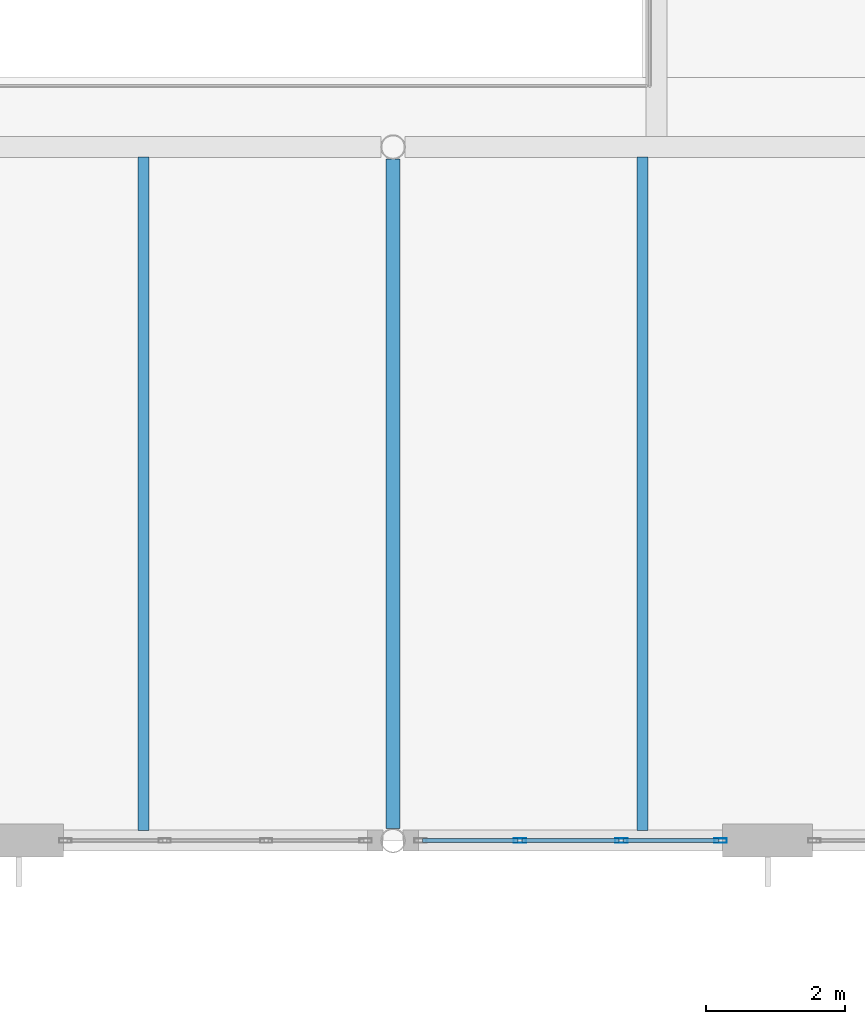
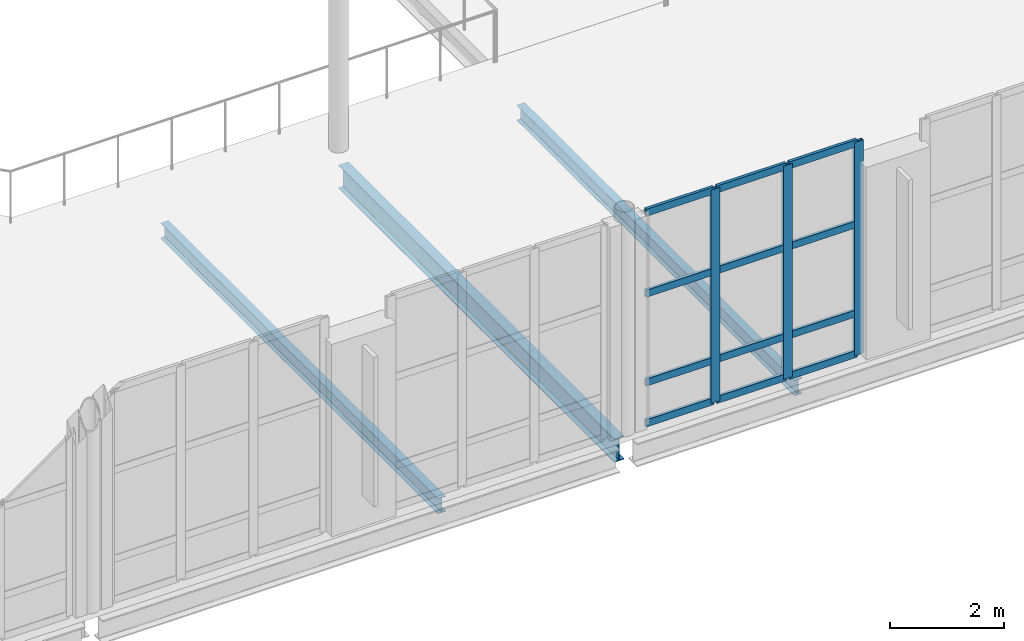
# One storey, part 29 of 100: 15 members, 3 beams, 1 element without a shape of its own.
"""IFC4 building model written with IfcOpenShell, lengths in metres."""

from ifc_helpers import new_model, si_unit, direction, frame, origin, origin_2d, place, context, subcontext, project, spatial, hollow_rectangle, i_section, extrude, material, layer, layer_set, material_profile, profile_set, type_object, element, aggregate, save


model = new_model("IFC4")

# Units and contexts
model_context = context("Model", 3, precision=1e-05, world=origin(), true_north=direction((0.0, 1.0)))
body_context = subcontext(model_context, "Body", "Model", "MODEL_VIEW")
ifc_project = project(units=[si_unit("LENGTHUNIT", "METRE"), si_unit("AREAUNIT", "SQUARE_METRE"), si_unit("VOLUMEUNIT", "CUBIC_METRE"), si_unit("PLANEANGLEUNIT", "RADIAN"), si_unit("MASSUNIT", "GRAM", prefix="KILO")], contexts=[model_context])

# Site, building, storey
site_placement = place(None, origin())
site = spatial("IfcSite", under=ifc_project, at=site_placement, CompositionType="ELEMENT")
building_placement = place(site_placement, origin())
building = spatial("IfcBuilding", under=site, at=building_placement, Name="Tasgan Crest Museum", CompositionType="ELEMENT")
storey_placement = place(building_placement, frame((0.0, 0.0, 9.60009765625)))
storey = spatial("IfcBuildingStorey", under=building, at=storey_placement, Name="L02", CompositionType="ELEMENT", Elevation=9.60009765625)

# Beams
ifc_material_1 = material(Name="Steel S355J2", Category="steel")
ifc_material_profile_1 = material_profile(ifc_material_1, i_section(OverallWidth=0.199951171875, OverallDepth=0.5, WebThickness=0.01025390625, FlangeThickness=0.01611328125, FilletRadius=0.02099609375, at=origin_2d()), Name="IPE 500")
ifc_profile_set_1 = profile_set([ifc_material_profile_1], Name="Steel S355J2")
beam_type_1 = type_object("IfcBeamType", Name="BM-G-IPE500", PredefinedType="BEAM", material=ifc_profile_set_1)
beam_placement = place(storey_placement, frame((75.60009765625, 40.1728515625, -0.489990234375), z_axis=(0.0, 1.0, 0.0), x_axis=(-1.0, 0.0, 0.0)))
element("IfcBeam", 1, at=beam_placement, inside=storey, type_object=beam_type_1, Name="Beam L02 8 40.0-50.0", PredefinedType="BEAM", context=body_context, shape_type="SweptSolid", body=[
    extrude(i_section(OverallWidth=0.199951171875, OverallDepth=0.5, WebThickness=0.01025390625, FlangeThickness=0.01611328125, FilletRadius=0.02099609375, at=origin_2d()), origin(), (0.0, 0.0, 1.0), 9.654296875),
])
ifc_material_2 = material(Name="Steel S355J2", Category="steel")
ifc_material_profile_2 = material_profile(ifc_material_2, i_section(OverallWidth=0.159912109375, OverallDepth=0.330078125, WebThickness=0.007568359375, FlangeThickness=0.011474609375, FilletRadius=0.01806640625, at=origin_2d()), Name="IPE 330")
ifc_profile_set_2 = profile_set([ifc_material_profile_2], Name="Steel S355J2")
beam_type_2 = type_object("IfcBeamType", Name="BM-J-IPE330", PredefinedType="JOIST", material=ifc_profile_set_2)
for number, where, z_axis, x_axis, name in (
    (2, (72.0, 40.14501953125, -0.405029296875), (0.0, 1.0, 0.0), (-1.0, 0.0, 0.0), "Secondary joist L02 X=72.0 Y=40.0-50.0"),
    (3, (79.199951171875, 40.14501953125, -0.405029296875), (0.0, 1.0, 0.0), (-1.0, 0.0, 0.0), "Secondary joist L02 X=79.2 Y=40.0-50.0"),
):
    element("IfcBeam", number, at=place(storey_placement, frame(where, z_axis=z_axis, x_axis=x_axis)), inside=storey, type_object=beam_type_2, Name=name, PredefinedType="JOIST", context=body_context, shape_type="SweptSolid", body=[
        extrude(i_section(OverallWidth=0.159912109375, OverallDepth=0.330078125, WebThickness=0.007568359375, FlangeThickness=0.011474609375, FilletRadius=0.01806640625, at=origin_2d()), origin(), (0.0, 0.0, 1.0), 9.7099609375),
    ])

# Curtain wall, members
ifc_material_3 = material(Name="Triple-Glazed Aluminium Curtain Wall", Category="aluminium")
ifc_layer = layer(ifc_material_3, 0.179931640625, Name="CW-DRUM-X-48")
ifc_layer_set = layer_set([ifc_layer], Name="Triple-Glazed Aluminium Curtain Wall")
curtain_wall_type = type_object("IfcCurtainWallType", Name="CW-DRUM-X-48", PredefinedType="NOTDEFINED", material=ifc_layer_set)
curtain_wall_placement = place(storey_placement, origin())
curtain_wall = element("IfcCurtainWall", 4, at=curtain_wall_placement, inside=storey, type_object=curtain_wall_type, Name="Curtain wall L02 105", PredefinedType="NOTDEFINED")
ifc_material_4 = material(Name="Anodised Aluminium", Category="aluminium")
ifc_material_profile_3 = material_profile(ifc_material_4, hollow_rectangle(XDim=0.06494140625, YDim=0.179931640625, WallThickness=0.0048828125, at=origin_2d()), Name="ALU MULLION 180x65x5")
ifc_profile_set_3 = profile_set([ifc_material_profile_3], Name="Anodised Aluminium")
member_type_1 = type_object("IfcMemberType", Name="CW-MULLION-180", PredefinedType="MULLION", material=ifc_profile_set_3)
member_1_placement = place(storey_placement, frame((77.42822265625, 40.0, 0.0), z_axis=(0.0, 0.0, 1.0), x_axis=(0.0, 1.0, 0.0)))
member_1 = element("IfcMember", 5, at=member_1_placement, type_object=member_type_1, Name="CW03 mullion 2", PredefinedType="MULLION", context=body_context, shape_type="SweptSolid", body=[
    extrude(hollow_rectangle(XDim=0.06494140625, YDim=0.179931640625, WallThickness=0.0048828125, at=origin_2d()), origin(), (0.0, 0.0, 1.0), 4.559814453125),
])
member_2_placement = place(storey_placement, frame((78.8916015625, 40.0, 0.0), z_axis=(0.0, 0.0, 1.0), x_axis=(0.0, 1.0, 0.0)))
member_2 = element("IfcMember", 6, at=member_2_placement, type_object=member_type_1, Name="CW03 mullion 3", PredefinedType="MULLION", context=body_context, shape_type="SweptSolid", body=[
    extrude(hollow_rectangle(XDim=0.06494140625, YDim=0.179931640625, WallThickness=0.0048828125, at=origin_2d()), origin(), (0.0, 0.0, 1.0), 4.559814453125),
])
member_3_placement = place(storey_placement, frame((80.324951171875, 40.0, 0.0), z_axis=(0.0, 0.0, 1.0), x_axis=(0.0, 1.0, 0.0)))
member_3 = element("IfcMember", 7, at=member_3_placement, type_object=member_type_1, Name="CW03 mullion 4", PredefinedType="MULLION", context=body_context, shape_type="SweptSolid", body=[
    extrude(hollow_rectangle(XDim=0.06494140625, YDim=0.179931640625, WallThickness=0.0048828125, at=origin_2d()), origin(), (0.0, 0.0, 1.0), 4.559814453125),
])
ifc_material_5 = material(Name="Anodised Aluminium", Category="aluminium")
ifc_material_profile_4 = material_profile(ifc_material_5, hollow_rectangle(XDim=0.06005859375, YDim=0.14990234375, WallThickness=0.0048828125, at=origin_2d()), Name="ALU TRANSOM 150x60x5")
ifc_profile_set_4 = profile_set([ifc_material_profile_4], Name="Anodised Aluminium")
member_type_2 = type_object("IfcMemberType", Name="CW-TRANSOM-150", PredefinedType="USERDEFINED", material=ifc_profile_set_4)
member_4_placement = place(storey_placement, frame((76.02490234375, 40.0, 0.02978515625), z_axis=(1.0, 0.0, 0.0), x_axis=(0.0, 1.0, 0.0)))
member_4 = element("IfcMember", 8, at=member_4_placement, type_object=member_type_2, Name="CW03 transom 1.1", ObjectType="TRANSOM", PredefinedType="USERDEFINED", context=body_context, shape_type="SweptSolid", body=[
    extrude(hollow_rectangle(XDim=0.06005859375, YDim=0.14990234375, WallThickness=0.0048828125, at=origin_2d()), origin(), (0.0, 0.0, 1.0), 1.37353515625),
])
member_5_placement = place(storey_placement, frame((76.02490234375, 40.0, 0.89990234375), z_axis=(1.0, 0.0, 0.0), x_axis=(0.0, 1.0, 0.0)))
member_5 = element("IfcMember", 9, at=member_5_placement, type_object=member_type_2, Name="CW03 transom 1.2", ObjectType="TRANSOM", PredefinedType="USERDEFINED", context=body_context, shape_type="SweptSolid", body=[
    extrude(hollow_rectangle(XDim=0.06005859375, YDim=0.14990234375, WallThickness=0.0048828125, at=origin_2d()), origin(), (0.0, 0.0, 1.0), 1.37353515625),
])
member_6_placement = place(storey_placement, frame((76.02490234375, 40.0, 2.7998046875), z_axis=(1.0, 0.0, 0.0), x_axis=(0.0, 1.0, 0.0)))
member_6 = element("IfcMember", 10, at=member_6_placement, type_object=member_type_2, Name="CW03 transom 1.3", ObjectType="TRANSOM", PredefinedType="USERDEFINED", context=body_context, shape_type="SweptSolid", body=[
    extrude(hollow_rectangle(XDim=0.06005859375, YDim=0.14990234375, WallThickness=0.0048828125, at=origin_2d()), origin(), (0.0, 0.0, 1.0), 1.37353515625),
])
member_7_placement = place(storey_placement, frame((76.02490234375, 40.0, 4.52978515625), z_axis=(1.0, 0.0, 0.0), x_axis=(0.0, 1.0, 0.0)))
member_7 = element("IfcMember", 11, at=member_7_placement, type_object=member_type_2, Name="CW03 transom 1.4", ObjectType="TRANSOM", PredefinedType="USERDEFINED", context=body_context, shape_type="SweptSolid", body=[
    extrude(hollow_rectangle(XDim=0.06005859375, YDim=0.14990234375, WallThickness=0.0048828125, at=origin_2d()), origin(), (0.0, 0.0, 1.0), 1.37353515625),
])
member_8_placement = place(storey_placement, frame((77.458251953125, 40.0, 0.02978515625), z_axis=(1.0, 0.0, 0.0), x_axis=(0.0, 1.0, 0.0)))
member_8 = element("IfcMember", 12, at=member_8_placement, type_object=member_type_2, Name="CW03 transom 2.1", ObjectType="TRANSOM", PredefinedType="USERDEFINED", context=body_context, shape_type="SweptSolid", body=[
    extrude(hollow_rectangle(XDim=0.06005859375, YDim=0.14990234375, WallThickness=0.0048828125, at=origin_2d()), origin(), (0.0, 0.0, 1.0), 1.4033203125),
])
member_9_placement = place(storey_placement, frame((77.458251953125, 40.0, 0.89990234375), z_axis=(1.0, 0.0, 0.0), x_axis=(0.0, 1.0, 0.0)))
member_9 = element("IfcMember", 13, at=member_9_placement, type_object=member_type_2, Name="CW03 transom 2.2", ObjectType="TRANSOM", PredefinedType="USERDEFINED", context=body_context, shape_type="SweptSolid", body=[
    extrude(hollow_rectangle(XDim=0.06005859375, YDim=0.14990234375, WallThickness=0.0048828125, at=origin_2d()), origin(), (0.0, 0.0, 1.0), 1.4033203125),
])
member_10_placement = place(storey_placement, frame((77.458251953125, 40.0, 2.7998046875), z_axis=(1.0, 0.0, 0.0), x_axis=(0.0, 1.0, 0.0)))
member_10 = element("IfcMember", 14, at=member_10_placement, type_object=member_type_2, Name="CW03 transom 2.3", ObjectType="TRANSOM", PredefinedType="USERDEFINED", context=body_context, shape_type="SweptSolid", body=[
    extrude(hollow_rectangle(XDim=0.06005859375, YDim=0.14990234375, WallThickness=0.0048828125, at=origin_2d()), origin(), (0.0, 0.0, 1.0), 1.4033203125),
])
member_11_placement = place(storey_placement, frame((77.458251953125, 40.0, 4.52978515625), z_axis=(1.0, 0.0, 0.0), x_axis=(0.0, 1.0, 0.0)))
member_11 = element("IfcMember", 15, at=member_11_placement, type_object=member_type_2, Name="CW03 transom 2.4", ObjectType="TRANSOM", PredefinedType="USERDEFINED", context=body_context, shape_type="SweptSolid", body=[
    extrude(hollow_rectangle(XDim=0.06005859375, YDim=0.14990234375, WallThickness=0.0048828125, at=origin_2d()), origin(), (0.0, 0.0, 1.0), 1.4033203125),
])
member_12_placement = place(storey_placement, frame((78.921630859375, 40.0, 0.02978515625), z_axis=(1.0, 0.0, 0.0), x_axis=(0.0, 1.0, 0.0)))
member_12 = element("IfcMember", 16, at=member_12_placement, type_object=member_type_2, Name="CW03 transom 3.1", ObjectType="TRANSOM", PredefinedType="USERDEFINED", context=body_context, shape_type="SweptSolid", body=[
    extrude(hollow_rectangle(XDim=0.06005859375, YDim=0.14990234375, WallThickness=0.0048828125, at=origin_2d()), origin(), (0.0, 0.0, 1.0), 1.373291015625),
])
member_13_placement = place(storey_placement, frame((78.921630859375, 40.0, 0.89990234375), z_axis=(1.0, 0.0, 0.0), x_axis=(0.0, 1.0, 0.0)))
member_13 = element("IfcMember", 17, at=member_13_placement, type_object=member_type_2, Name="CW03 transom 3.2", ObjectType="TRANSOM", PredefinedType="USERDEFINED", context=body_context, shape_type="SweptSolid", body=[
    extrude(hollow_rectangle(XDim=0.06005859375, YDim=0.14990234375, WallThickness=0.0048828125, at=origin_2d()), origin(), (0.0, 0.0, 1.0), 1.373291015625),
])
member_14_placement = place(storey_placement, frame((78.921630859375, 40.0, 2.7998046875), z_axis=(1.0, 0.0, 0.0), x_axis=(0.0, 1.0, 0.0)))
member_14 = element("IfcMember", 18, at=member_14_placement, type_object=member_type_2, Name="CW03 transom 3.3", ObjectType="TRANSOM", PredefinedType="USERDEFINED", context=body_context, shape_type="SweptSolid", body=[
    extrude(hollow_rectangle(XDim=0.06005859375, YDim=0.14990234375, WallThickness=0.0048828125, at=origin_2d()), origin(), (0.0, 0.0, 1.0), 1.373291015625),
])
member_15_placement = place(storey_placement, frame((78.921630859375, 40.0, 4.52978515625), z_axis=(1.0, 0.0, 0.0), x_axis=(0.0, 1.0, 0.0)))
member_15 = element("IfcMember", 19, at=member_15_placement, type_object=member_type_2, Name="CW03 transom 3.4", ObjectType="TRANSOM", PredefinedType="USERDEFINED", context=body_context, shape_type="SweptSolid", body=[
    extrude(hollow_rectangle(XDim=0.06005859375, YDim=0.14990234375, WallThickness=0.0048828125, at=origin_2d()), origin(), (0.0, 0.0, 1.0), 1.373291015625),
])
aggregate(curtain_wall, [member_1, member_2, member_3, member_4, member_5, member_6, member_7, member_8, member_9, member_10, member_11, member_12, member_13, member_14, member_15])

save(model, "model.ifc")
